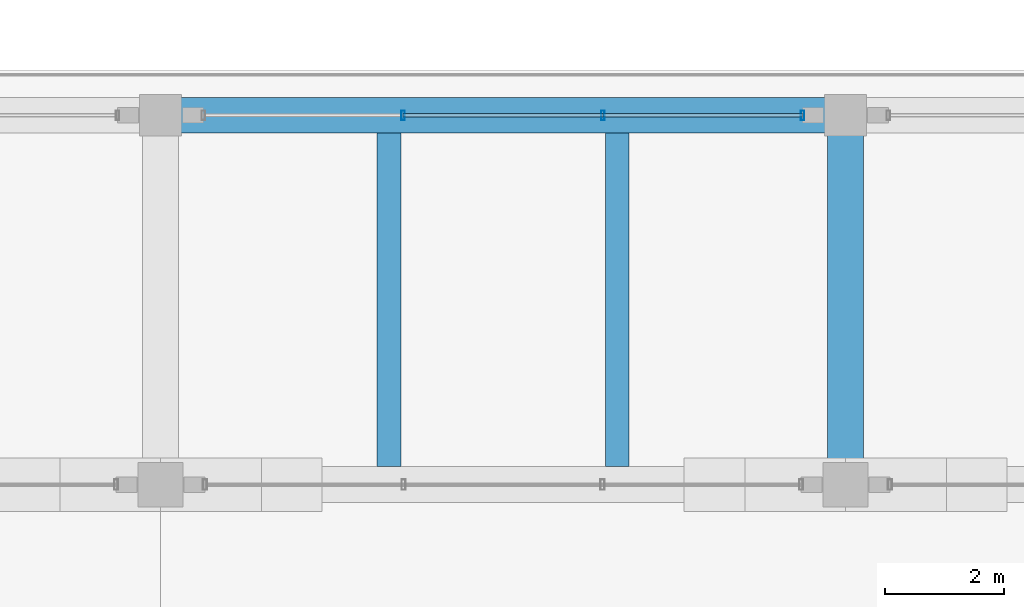
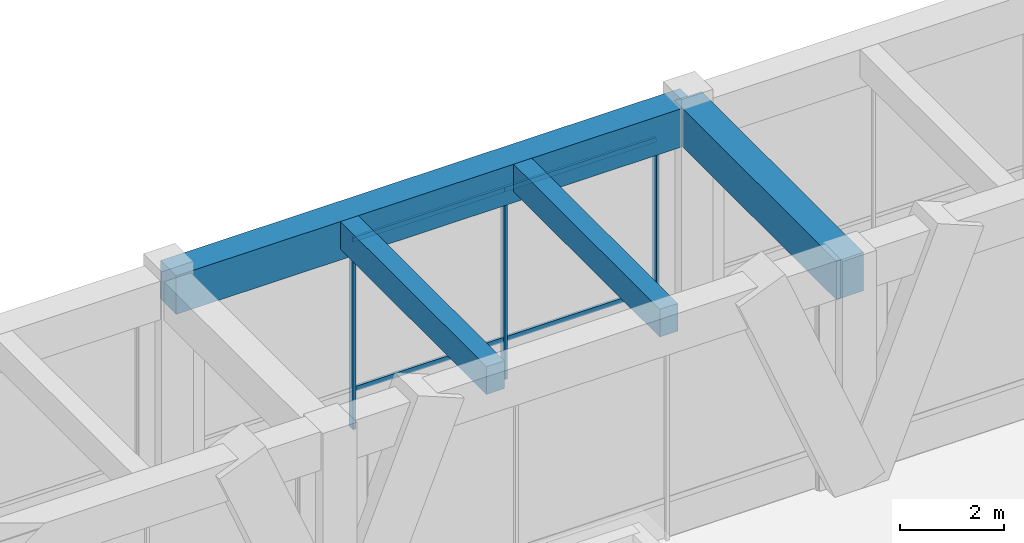
# One storey, part 71 of 148: 7 members, 4 beams, 1 element without a shape of its own.
"""IFC4 building model written with IfcOpenShell, lengths in metres."""

from ifc_helpers import new_model, si_unit, direction, frame, origin, origin_2d, place, context, subcontext, project, spatial, rectangle, hollow_rectangle, extrude, material, material_profile, profile_set, type_object, element, aggregate, save


model = new_model("IFC4")

# Units and contexts
model_context = context("Model", 3, precision=1e-05, world=origin(), true_north=direction((0.0, 1.0)))
body_context = subcontext(model_context, "Body", "Model", "MODEL_VIEW")
ifc_project = project(units=[si_unit("LENGTHUNIT", "METRE"), si_unit("AREAUNIT", "SQUARE_METRE"), si_unit("VOLUMEUNIT", "CUBIC_METRE"), si_unit("PLANEANGLEUNIT", "RADIAN"), si_unit("MASSUNIT", "GRAM", prefix="KILO")], contexts=[model_context])

# Site, building, storey
site_placement = place(None, origin())
site = spatial("IfcSite", under=ifc_project, at=site_placement, CompositionType="ELEMENT")
building_placement = place(site_placement, origin())
building = spatial("IfcBuilding", under=site, at=building_placement, Name="Ologun Quay Terminus", CompositionType="ELEMENT")
storey_placement = place(building_placement, frame((0.0, 0.0, 8.39990234375)))
storey = spatial("IfcBuildingStorey", under=building, at=storey_placement, Name="L02", CompositionType="ELEMENT", Elevation=8.39990234375)

# Curtain wall, members
ifc_material_1 = material(Name="Aluminium 6063-T6", Category="aluminium")
curtain_wall_type = type_object("IfcCurtainWallType", Name="Courtyard Overlook Concourse Curtain Wall 10700x4750", PredefinedType="USERDEFINED", material=ifc_material_1)
curtain_wall_placement = place(storey_placement, origin())
curtain_wall = element("IfcCurtainWall", 1, at=curtain_wall_placement, inside=storey, type_object=curtain_wall_type, Name="CW-12 Curtain Wall CW-L02-082", ObjectType="UNITISED CURTAIN WALL", PredefinedType="USERDEFINED")
ifc_material_2 = material(Name="Aluminium 6063-T6", Category="aluminium")
ifc_material_profile_1 = material_profile(ifc_material_2, hollow_rectangle(XDim=0.06005859375, YDim=0.159912109375, WallThickness=0.00390625, at=origin_2d()), Name="ALU 160x60x4")
ifc_profile_set_1 = profile_set([ifc_material_profile_1], Name="Aluminium 6063-T6")
member_type_1 = type_object("IfcMemberType", Name="Courtyard Screen Mullion 160x65", PredefinedType="MULLION", material=ifc_profile_set_1)
member_1_placement = place(storey_placement, frame((96.0732421875, 84.199951171875, 0.0), z_axis=(0.0, 0.0, 1.0), x_axis=(1.0, 0.0, 0.0)))
member_1 = element("IfcMember", 2, at=member_1_placement, type_object=member_type_1, Name="CW-L02-082 Mullion 2", PredefinedType="MULLION", context=body_context, shape_type="SweptSolid", body=[
    extrude(hollow_rectangle(XDim=0.06005859375, YDim=0.159912109375, WallThickness=0.00390625, at=origin_2d()), origin(), (0.0, 0.0, 1.0), 5.10009765625),
])
member_2_placement = place(storey_placement, frame((99.4267578125, 84.199951171875, 0.0), z_axis=(0.0, 0.0, 1.0), x_axis=(1.0, 0.0, 0.0)))
member_2 = element("IfcMember", 3, at=member_2_placement, type_object=member_type_1, Name="CW-L02-082 Mullion 3", PredefinedType="MULLION", context=body_context, shape_type="SweptSolid", body=[
    extrude(hollow_rectangle(XDim=0.06005859375, YDim=0.159912109375, WallThickness=0.00390625, at=origin_2d()), origin(), (0.0, 0.0, 1.0), 5.10009765625),
])
member_3_placement = place(storey_placement, frame((102.780029296875, 84.199951171875, 0.0), z_axis=(0.0, 0.0, 1.0), x_axis=(1.0, 0.0, 0.0)))
member_3 = element("IfcMember", 4, at=member_3_placement, type_object=member_type_1, Name="CW-L02-082 Mullion 4", PredefinedType="MULLION", context=body_context, shape_type="SweptSolid", body=[
    extrude(hollow_rectangle(XDim=0.06005859375, YDim=0.159912109375, WallThickness=0.00390625, at=origin_2d()), origin(), (0.0, 0.0, 1.0), 5.10009765625),
])
ifc_material_3 = material(Name="Aluminium 6063-T6", Category="aluminium")
ifc_material_profile_2 = material_profile(ifc_material_3, hollow_rectangle(XDim=0.054931640625, YDim=0.110107421875, WallThickness=0.00390625, at=origin_2d()), Name="ALU 110x55x4")
ifc_profile_set_2 = profile_set([ifc_material_profile_2], Name="Aluminium 6063-T6")
member_type_2 = type_object("IfcMemberType", Name="Courtyard Screen Transom 110x55", PredefinedType="USERDEFINED", material=ifc_profile_set_2)
member_4_placement = place(storey_placement, frame((96.0732421875, 84.199951171875, 0.900146484375), z_axis=(1.0, 0.0, 0.0), x_axis=(0.0, 1.0, 0.0)))
member_4 = element("IfcMember", 5, at=member_4_placement, type_object=member_type_2, Name="CW-L02-082 Transom B2-1", ObjectType="TRANSOM", PredefinedType="USERDEFINED", context=body_context, shape_type="SweptSolid", body=[
    extrude(hollow_rectangle(XDim=0.054931640625, YDim=0.110107421875, WallThickness=0.00390625, at=origin_2d()), origin(), (0.0, 0.0, 1.0), 3.353515625),
])
member_5_placement = place(storey_placement, frame((96.0732421875, 84.199951171875, 4.400146484375), z_axis=(1.0, 0.0, 0.0), x_axis=(0.0, 1.0, 0.0)))
member_5 = element("IfcMember", 6, at=member_5_placement, type_object=member_type_2, Name="CW-L02-082 Transom B2-2", ObjectType="TRANSOM", PredefinedType="USERDEFINED", context=body_context, shape_type="SweptSolid", body=[
    extrude(hollow_rectangle(XDim=0.054931640625, YDim=0.110107421875, WallThickness=0.00390625, at=origin_2d()), origin(), (0.0, 0.0, 1.0), 3.353515625),
])
member_6_placement = place(storey_placement, frame((99.4267578125, 84.199951171875, 0.900146484375), z_axis=(1.0, 0.0, 0.0), x_axis=(0.0, 1.0, 0.0)))
member_6 = element("IfcMember", 7, at=member_6_placement, type_object=member_type_2, Name="CW-L02-082 Transom B3-1", ObjectType="TRANSOM", PredefinedType="USERDEFINED", context=body_context, shape_type="SweptSolid", body=[
    extrude(hollow_rectangle(XDim=0.054931640625, YDim=0.110107421875, WallThickness=0.00390625, at=origin_2d()), origin(), (0.0, 0.0, 1.0), 3.353271484375),
])
member_7_placement = place(storey_placement, frame((99.4267578125, 84.199951171875, 4.400146484375), z_axis=(1.0, 0.0, 0.0), x_axis=(0.0, 1.0, 0.0)))
member_7 = element("IfcMember", 8, at=member_7_placement, type_object=member_type_2, Name="CW-L02-082 Transom B3-2", ObjectType="TRANSOM", PredefinedType="USERDEFINED", context=body_context, shape_type="SweptSolid", body=[
    extrude(hollow_rectangle(XDim=0.054931640625, YDim=0.110107421875, WallThickness=0.00390625, at=origin_2d()), origin(), (0.0, 0.0, 1.0), 3.353271484375),
])
aggregate(curtain_wall, [member_1, member_2, member_3, member_4, member_5, member_6, member_7])

# Beams
ifc_material_4 = material(Name="Concrete C40/50", Category="concrete")
ifc_material_profile_3 = material_profile(ifc_material_4, rectangle(XDim=0.60009765625, YDim=0.89990234375, at=origin_2d()), Name="RC 600x900")
ifc_profile_set_3 = profile_set([ifc_material_profile_3], Name="Concrete C40/50")
beam_type_1 = type_object("IfcBeamType", Name="Station Frame Girder 600x900", PredefinedType="BEAM", material=ifc_profile_set_3)
beam_1_placement = place(storey_placement, frame((92.0, 84.199951171875, 4.7001953125), z_axis=(1.0, 0.0, 0.0), x_axis=(0.0, 1.0, 0.0)))
element("IfcBeam", 9, at=beam_1_placement, inside=storey, type_object=beam_type_1, Name="B3 Beam 9/G1 L02", PredefinedType="BEAM", context=body_context, shape_type="SweptSolid", body=[
    extrude(rectangle(XDim=0.60009765625, YDim=0.89990234375, at=origin_2d()), origin(), (0.0, 0.0, 1.0), 11.5),
])
beam_2_placement = place(storey_placement, frame((103.5, 78.0, 4.7001953125), z_axis=(0.0, 1.0, 0.0), x_axis=(-1.0, 0.0, 0.0)))
element("IfcBeam", 10, at=beam_2_placement, inside=storey, type_object=beam_type_1, Name="B3 Beam 10/F L02", PredefinedType="BEAM", context=body_context, shape_type="SweptSolid", body=[
    extrude(rectangle(XDim=0.60009765625, YDim=0.89990234375, at=origin_2d()), origin(), (0.0, 0.0, 1.0), 6.199951171875),
])
ifc_material_5 = material(Name="Concrete C40/50", Category="concrete")
ifc_material_profile_4 = material_profile(ifc_material_5, rectangle(XDim=0.39990234375, YDim=0.64990234375, at=origin_2d()), Name="RC 400x650")
ifc_profile_set_4 = profile_set([ifc_material_profile_4], Name="Concrete C40/50")
beam_type_2 = type_object("IfcBeamType", Name="Station Secondary Joist 400x650", PredefinedType="JOIST", material=ifc_profile_set_4)
for number, where, z_axis, x_axis, name in (
    (11, (95.833251953125, 78.300048828125, 4.8251953125), (0.0, 1.0, 0.0), (-1.0, 0.0, 0.0), "J1 Beam 9/F L02"),
    (12, (99.666748046875, 78.300048828125, 4.8251953125), (0.0, 1.0, 0.0), (-1.0, 0.0, 0.0), "J1 Beam 9/F L02"),
):
    element("IfcBeam", number, at=place(storey_placement, frame(where, z_axis=z_axis, x_axis=x_axis)), inside=storey, type_object=beam_type_2, Name=name, PredefinedType="JOIST", context=body_context, shape_type="SweptSolid", body=[
        extrude(rectangle(XDim=0.39990234375, YDim=0.64990234375, at=origin_2d()), origin(), (0.0, 0.0, 1.0), 5.599853515625),
    ])

save(model, "model.ifc")
